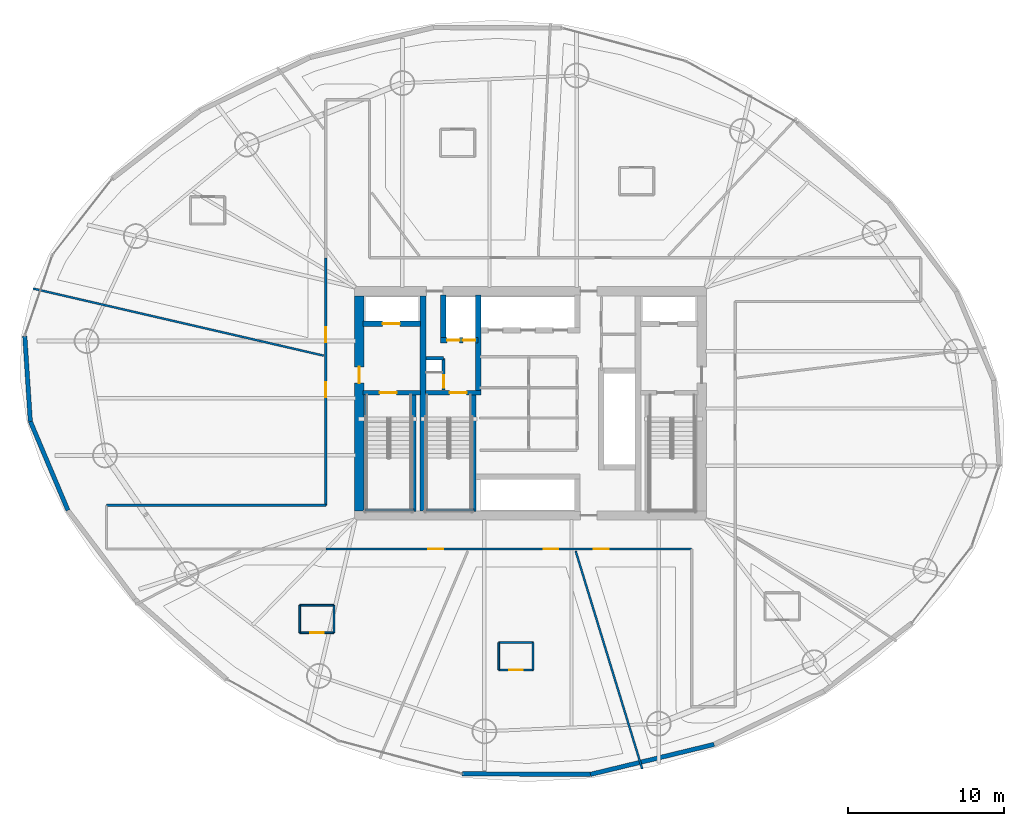
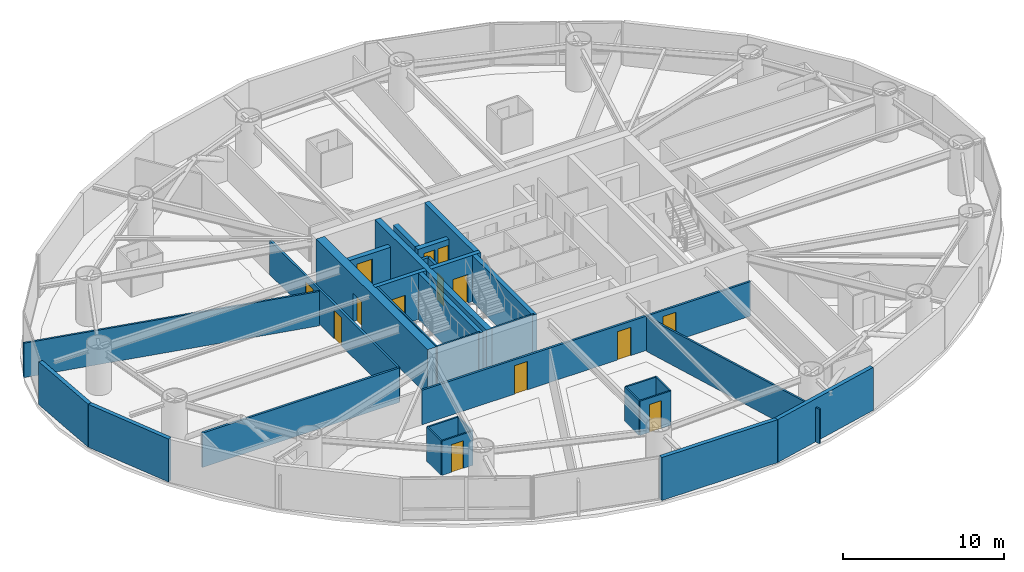
# One storey, part 16 of 23: 32 walls, 14 doors, 14 openings.
"""IFC4 building model written with IfcOpenShell, lengths in metres."""

from ifc_helpers import new_model, si_unit, direction, frame, frame_2d, origin, place, context, subcontext, project, spatial, rectangle, extrude, material, layer, layer_set, type_object, element, fill, save


model = new_model("IFC4")

# Units and contexts
model_context = context("Model", 3, precision=1e-05, world=origin(), true_north=direction((0.0, 1.0)))
body_context = subcontext(model_context, "Body", "Model", "MODEL_VIEW")
ifc_project = project(units=[si_unit("LENGTHUNIT", "METRE"), si_unit("AREAUNIT", "SQUARE_METRE"), si_unit("VOLUMEUNIT", "CUBIC_METRE"), si_unit("PLANEANGLEUNIT", "RADIAN"), si_unit("MASSUNIT", "GRAM", prefix="KILO")], contexts=[model_context])

# Site, building, storey
site_placement = place(None, origin())
site = spatial("IfcSite", under=ifc_project, at=site_placement, CompositionType="ELEMENT")
building_placement = place(site_placement, origin())
building = spatial("IfcBuilding", under=site, at=building_placement, Name="Bramvorn Convention Spire", CompositionType="ELEMENT")
storey_placement = place(building_placement, frame((0.0, 0.0, 65.89990234375)))
storey = spatial("IfcBuildingStorey", under=building, at=storey_placement, Name="L14", CompositionType="ELEMENT", Elevation=65.89990234375)

# Wall, opening, door
ifc_material_1 = material(Name="Concrete C60/70", Category="concrete")
ifc_layer_1 = layer(ifc_material_1, 0.60009765625)
ifc_layer_set_1 = layer_set([ifc_layer_1], Name="Concrete C60/70 - WL-CORE-600")
wall_type_1 = type_object("IfcWallType", Name="WL-CORE-600", PredefinedType="SHEAR", material=ifc_layer_set_1)
wall_1_placement = place(storey_placement, frame((27.0, 19.10009765625, 0.0), z_axis=(0.0, 0.0, 1.0), x_axis=(0.0, 1.0, 0.0)))
wall_1 = element("IfcWall", 1, at=wall_1_placement, inside=storey, type_object=wall_type_1, Name="L14 West RC core shear wall", PredefinedType="SHEAR", context=body_context, shape_type="SweptSolid", body=[
    extrude(rectangle(XDim=13.7998046875, YDim=0.60009765625, at=frame_2d((6.89990234375, 0.0))), origin(), (0.0, 0.0, 1.0), 3.5),
])
opening_1_placement = place(wall_1_placement, frame((8.199951171875, 0.0, 0.0)))
opening_1 = element("IfcOpeningElement", 2, at=opening_1_placement, cuts=wall_1, Name="Opening DL-105", PredefinedType="OPENING", context=body_context, shape_type="SweptSolid", body=[
    extrude(rectangle(XDim=1.050048828125, YDim=2.14990234375, at=frame_2d((0.52490234375, 1.074951171875))), frame((0.0, 0.31005859375, 0.0), z_axis=(0.0, -1.0, 0.0), x_axis=(1.0, 0.0, 0.0)), (0.0, 0.0, 1.0), 0.6201171875),
])
ifc_material_2 = material(Name="Smoke-Sealed Fire Lobby Timber-Core Door", Category="wood")
door_type_1 = type_object("IfcDoorType", Name="DR-LOBBY-1050", OperationType="NOTDEFINED", PredefinedType="DOOR", material=ifc_material_2)
door_1_placement = place(opening_1_placement, origin())
door_1 = element("IfcDoor", 3, at=door_1_placement, inside=storey, type_object=door_type_1, Name="L14 West Firefighting Lobby corridor door", OperationType="SINGLE_SWING_RIGHT", OverallHeight=2.14990234375, OverallWidth=1.050048828125, PredefinedType="DOOR", context=body_context, shape_type="SweptSolid", body=[
    extrude(rectangle(XDim=1.050048828125, YDim=2.14990234375, at=frame_2d((0.52490234375, 1.074951171875))), frame((0.0, 0.02490234375, 0.0), z_axis=(0.0, -1.0, 0.0), x_axis=(1.0, 0.0, 0.0)), (0.0, 0.0, 1.0), 0.050048828125),
])
fill(opening_1, door_1)

ifc_material_3 = material(Name="Concrete C50/60", Category="concrete")
ifc_layer_2 = layer(ifc_material_3, 0.35009765625)
ifc_layer_set_2 = layer_set([ifc_layer_2], Name="Concrete C50/60 - WL-CORE-INT-350")
wall_type_2 = type_object("IfcWallType", Name="WL-CORE-INT-350", PredefinedType="SHEAR", material=ifc_layer_set_2)
wall_2_placement = place(storey_placement, frame((27.25, 31.1201171875, 0.0), z_axis=(0.0, 0.0, 1.0), x_axis=(1.0, 0.0, 0.0)))
wall_2 = element("IfcWall", 4, at=wall_2_placement, inside=storey, type_object=wall_type_2, Name="L14 FE1 shaft front wall", PredefinedType="SHEAR", context=body_context, shape_type="SweptSolid", body=[
    extrude(rectangle(XDim=3.669921875, YDim=0.35009765625, at=frame_2d((1.8349609375, 0.0))), origin(), (0.0, 0.0, 1.0), 2.60009765625),
])
opening_2_placement = place(wall_2_placement, frame((1.25, 0.0, 0.0)))
opening_2 = element("IfcOpeningElement", 5, at=opening_2_placement, cuts=wall_2, Name="Opening LD-110", PredefinedType="OPENING", context=body_context, shape_type="SweptSolid", body=[
    extrude(rectangle(XDim=1.10009765625, YDim=2.14990234375, at=frame_2d((0.550048828125, 1.074951171875))), frame((0.0, 0.18505859375, 0.0), z_axis=(0.0, -1.0, 0.0), x_axis=(1.0, 0.0, 0.0)), (0.0, 0.0, 1.0), 0.3701171875),
])
ifc_material_4 = material(Name="Firefighting & Service Lift Sliding Landing Door", Category="steel")
door_type_2 = type_object("IfcDoorType", Name="DR-LIFT-LD-1100", OperationType="NOTDEFINED", PredefinedType="DOOR", material=ifc_material_4)
door_2_placement = place(opening_2_placement, origin())
door_2 = element("IfcDoor", 6, at=door_2_placement, inside=storey, type_object=door_type_2, Name="L14 Lift FE1 Sliding Landing Door", OperationType="SLIDING_TO_LEFT", OverallHeight=2.14990234375, OverallWidth=1.10009765625, PredefinedType="DOOR", context=body_context, shape_type="SweptSolid", body=[
    extrude(rectangle(XDim=1.10009765625, YDim=2.14990234375, at=frame_2d((0.550048828125, 1.074951171875))), frame((0.0, 0.02490234375, 0.0), z_axis=(0.0, -1.0, 0.0), x_axis=(1.0, 0.0, 0.0)), (0.0, 0.0, 1.0), 0.050048828125),
])
fill(opening_2, door_2)

# Wall
wall_3_placement = place(storey_placement, frame((34.639892578125, 26.68994140625, 0.0), z_axis=(0.0, 0.0, 1.0), x_axis=(0.0, 1.0, 0.0)))
element("IfcWall", 7, at=wall_3_placement, inside=storey, type_object=wall_type_2, Name="L14 SV east core shaft wall", PredefinedType="SHEAR", context=body_context, shape_type="SweptSolid", body=[
    extrude(rectangle(XDim=6.260009765625, YDim=0.35009765625, at=frame_2d((3.1298828125, 0.0))), origin(), (0.0, 0.0, 1.0), 3.5),
])

# Wall, openings, doors
wall_4_placement = place(storey_placement, frame((32.22998046875, 30.050048828125, 0.0), z_axis=(0.0, 0.0, 1.0), x_axis=(1.0, 0.0, 0.0)))
wall_4 = element("IfcWall", 8, at=wall_4_placement, inside=storey, type_object=wall_type_2, Name="L14 SV1/SV2 shaft front wall", PredefinedType="SHEAR", context=body_context, shape_type="SweptSolid", body=[
    extrude(rectangle(XDim=2.409912109375, YDim=0.35009765625, at=frame_2d((1.205078125, 0.0))), origin(), (0.0, 0.0, 1.0), 2.60009765625),
])
opening_3_placement = place(wall_4_placement, frame((0.419921875, 0.0, 0.0)))
opening_3 = element("IfcOpeningElement", 9, at=opening_3_placement, cuts=wall_4, Name="Opening LD-080", PredefinedType="OPENING", context=body_context, shape_type="SweptSolid", body=[
    extrude(rectangle(XDim=0.800048828125, YDim=2.14990234375, at=frame_2d((0.39990234375, 1.074951171875))), frame((0.0, 0.18505859375, 0.0), z_axis=(0.0, -1.0, 0.0), x_axis=(1.0, 0.0, 0.0)), (0.0, 0.0, 1.0), 0.3701171875),
])
opening_4_placement = place(wall_4_placement, frame((1.419921875, 0.0, 0.0)))
opening_4 = element("IfcOpeningElement", 10, at=opening_4_placement, cuts=wall_4, Name="Opening LD-080", PredefinedType="OPENING", context=body_context, shape_type="SweptSolid", body=[
    extrude(rectangle(XDim=0.800048828125, YDim=2.14990234375, at=frame_2d((0.39990234375, 1.074951171875))), frame((0.0, 0.18505859375, 0.0), z_axis=(0.0, -1.0, 0.0), x_axis=(1.0, 0.0, 0.0)), (0.0, 0.0, 1.0), 0.3701171875),
])
ifc_material_5 = material(Name="Service Lift Bi-Parting Landing Door", Category="steel")
door_type_3 = type_object("IfcDoorType", Name="DR-LIFT-LD-800", OperationType="NOTDEFINED", PredefinedType="DOOR", material=ifc_material_5)
door_3_placement = place(opening_3_placement, origin())
door_3 = element("IfcDoor", 11, at=door_3_placement, inside=storey, type_object=door_type_3, Name="L14 Lift SV1 Sliding Landing Door", OperationType="SLIDING_TO_LEFT", OverallHeight=2.14990234375, OverallWidth=0.800048828125, PredefinedType="DOOR", context=body_context, shape_type="SweptSolid", body=[
    extrude(rectangle(XDim=0.800048828125, YDim=2.14990234375, at=frame_2d((0.39990234375, 1.074951171875))), frame((0.0, 0.02490234375, 0.0), z_axis=(0.0, -1.0, 0.0), x_axis=(1.0, 0.0, 0.0)), (0.0, 0.0, 1.0), 0.050048828125),
])
fill(opening_3, door_3)
door_4_placement = place(opening_4_placement, origin())
door_4 = element("IfcDoor", 12, at=door_4_placement, inside=storey, type_object=door_type_3, Name="L14 Lift SV2 Sliding Landing Door", OperationType="SLIDING_TO_LEFT", OverallHeight=2.14990234375, OverallWidth=0.800048828125, PredefinedType="DOOR", context=body_context, shape_type="SweptSolid", body=[
    extrude(rectangle(XDim=0.800048828125, YDim=2.14990234375, at=frame_2d((0.39990234375, 1.074951171875))), frame((0.0, 0.02490234375, 0.0), z_axis=(0.0, -1.0, 0.0), x_axis=(1.0, 0.0, 0.0)), (0.0, 0.0, 1.0), 0.050048828125),
])
fill(opening_4, door_4)

# Walls
wall_5_placement = place(storey_placement, frame((32.39990234375, 30.219970703125, 0.0), z_axis=(0.0, 0.0, 1.0), x_axis=(0.0, 1.0, 0.0)))
element("IfcWall", 13, at=wall_5_placement, inside=storey, type_object=wall_type_2, Name="L14 SV1 west hoistway wall", PredefinedType="SHEAR", context=body_context, shape_type="SweptSolid", body=[
    extrude(rectangle(XDim=2.72998046875, YDim=0.35009765625, at=frame_2d((1.364990234375, 0.0))), origin(), (0.0, 0.0, 1.0), 2.60009765625),
])
ifc_layer_3 = layer(ifc_material_1, 0.39990234375)
ifc_layer_set_3 = layer_set([ifc_layer_3], Name="Concrete C60/70 - WL-CORE-INT-400")
wall_type_3 = type_object("IfcWallType", Name="WL-CORE-INT-400", PredefinedType="SHEAR", material=ifc_layer_set_3)
wall_6_placement = place(storey_placement, frame((31.10009765625, 19.10009765625, 0.0), z_axis=(0.0, 0.0, 1.0), x_axis=(0.0, 1.0, 0.0)))
element("IfcWall", 14, at=wall_6_placement, inside=storey, type_object=wall_type_3, Name="L14 West internal core shear web", PredefinedType="SHEAR", context=body_context, shape_type="SweptSolid", body=[
    extrude(rectangle(XDim=13.7998046875, YDim=0.39990234375, at=frame_2d((6.89990234375, 0.0))), origin(), (0.0, 0.0, 1.0), 3.5),
])
ifc_material_6 = material(Name="Precast Concrete C40/50 with Bronze Terracotta Rainscreen", Category="masonry")
ifc_layer_4 = layer(ifc_material_6, 0.300048828125)
ifc_layer_set_4 = layer_set([ifc_layer_4], Name="Precast Concrete C40/50 with Bronze Terracotta Rainscreen - WL-EXT-BRONZE-300")
wall_type_4 = type_object("IfcWallType", Name="WL-EXT-BRONZE-300", PredefinedType="SOLIDWALL", material=ifc_layer_set_4)
wall_7_placement = place(storey_placement, frame((5.861572265625, 24.849365234375, 0.0), z_axis=(0.0, 0.0, 1.0), x_axis=(-0.064305239639, 0.997930276199, 0.0)))
element("IfcWall", 15, at=wall_7_placement, inside=storey, type_object=wall_type_4, Name="L14 expressed bronze Gothic lancet pier wall 13", PredefinedType="SOLIDWALL", context=body_context, shape_type="SweptSolid", body=[
    extrude(rectangle(XDim=5.49755859375, YDim=0.280029296875, at=frame_2d((2.748779296875, 0.0))), origin(), (0.0, 0.0, 1.0), 3.25),
])
wall_8_placement = place(storey_placement, frame((8.281005859375, 19.127685546875, 0.0), z_axis=(0.0, 0.0, 1.0), x_axis=(-0.38946562283, 0.921041002689, 0.0)))
element("IfcWall", 16, at=wall_8_placement, inside=storey, type_object=wall_type_4, Name="L14 expressed bronze Gothic lancet pier wall 14", PredefinedType="SOLIDWALL", context=body_context, shape_type="SweptSolid", body=[
    extrude(rectangle(XDim=6.212158203125, YDim=0.280029296875, at=frame_2d((3.10595703125, 0.0))), origin(), (0.0, 0.0, 1.0), 3.25),
])
wall_9_placement = place(storey_placement, frame((41.85498046875, 2.16552734375, 0.0), z_axis=(0.0, 0.0, 1.0), x_axis=(-0.999990900598, 0.004265995843, 0.0)))
element("IfcWall", 17, at=wall_9_placement, inside=storey, type_object=wall_type_4, Name="L14 expressed bronze Gothic lancet pier wall 19", PredefinedType="SOLIDWALL", context=body_context, shape_type="SweptSolid", body=[
    extrude(rectangle(XDim=8.240966796875, YDim=0.280029296875, at=frame_2d((4.12060546875, 0.0))), origin(), (0.0, 0.0, 1.0), 3.25),
])
wall_10_placement = place(storey_placement, frame((49.7958984375, 4.090576171875, 0.0), z_axis=(0.0, 0.0, 1.0), x_axis=(-0.971850727629, -0.235597460104, 0.0)))
element("IfcWall", 18, at=wall_10_placement, inside=storey, type_object=wall_type_4, Name="L14 expressed bronze Gothic lancet pier wall 20", PredefinedType="SOLIDWALL", context=body_context, shape_type="SweptSolid", body=[
    extrude(rectangle(XDim=8.1708984375, YDim=0.280029296875, at=frame_2d((4.08544921875, 0.0))), origin(), (0.0, 0.0, 1.0), 3.25),
])

# Wall, opening, door
ifc_material_7 = material(Name="Lightweight En-Suite & Wet-Wall Partition", Category="gypsum")
ifc_layer_5 = layer(ifc_material_7, 0.110107421875)
ifc_layer_set_5 = layer_set([ifc_layer_5], Name="Lightweight En-Suite & Wet-Wall Partition - WL-PART-110")
wall_type_5 = type_object("IfcWallType", Name="WL-PART-110", PredefinedType="PARTITIONING", material=ifc_layer_set_5)
wall_11_placement = place(storey_placement, frame((23.173583984375, 11.265380859375, 0.0), z_axis=(0.0, 0.0, 1.0), x_axis=(1.0, 0.0, 0.0)))
wall_11 = element("IfcWall", 19, at=wall_11_placement, inside=storey, type_object=wall_type_5, Name="Hotel Suite 1406 en-suite south wall", PredefinedType="PARTITIONING", context=body_context, shape_type="SweptSolid", body=[
    extrude(rectangle(XDim=2.199951171875, YDim=0.110107421875, at=frame_2d((1.10009765625, 0.0))), origin(), (0.0, 0.0, 1.0), 2.60009765625),
])
opening_5_placement = place(wall_11_placement, frame((0.679931640625, 0.0, 0.0)))
opening_5 = element("IfcOpeningElement", 20, at=opening_5_placement, cuts=wall_11, Name="Opening DI-085", PredefinedType="OPENING", context=body_context, shape_type="SweptSolid", body=[
    extrude(rectangle(XDim=0.85009765625, YDim=2.10009765625, at=frame_2d((0.425048828125, 1.050048828125))), frame((0.0, 0.06494140625, 0.0), z_axis=(0.0, -1.0, 0.0), x_axis=(1.0, 0.0, 0.0)), (0.0, 0.0, 1.0), 0.130126953125),
])
ifc_material_8 = material(Name="En-Suite & Restroom Privacy Door", Category="wood")
door_type_4 = type_object("IfcDoorType", Name="DR-INT-850", OperationType="NOTDEFINED", PredefinedType="DOOR", material=ifc_material_8)
door_5_placement = place(opening_5_placement, origin())
door_5 = element("IfcDoor", 21, at=door_5_placement, inside=storey, type_object=door_type_4, Name="Hotel Suite 1406 En-Suite Bathroom door", OperationType="SINGLE_SWING_LEFT", OverallHeight=2.10009765625, OverallWidth=0.85009765625, PredefinedType="DOOR", context=body_context, shape_type="SweptSolid", body=[
    extrude(rectangle(XDim=0.85009765625, YDim=2.10009765625, at=frame_2d((0.425048828125, 1.050048828125))), frame((0.0, 0.02490234375, 0.0), z_axis=(0.0, -1.0, 0.0), x_axis=(1.0, 0.0, 0.0)), (0.0, 0.0, 1.0), 0.050048828125),
])
fill(opening_5, door_5)

# Walls
wall_12_placement = place(storey_placement, frame((23.173583984375, 13.025390625, 0.0), z_axis=(0.0, 0.0, 1.0), x_axis=(1.0, 0.0, 0.0)))
element("IfcWall", 22, at=wall_12_placement, inside=storey, type_object=wall_type_5, Name="Hotel Suite 1406 en-suite north wall", PredefinedType="PARTITIONING", context=body_context, shape_type="SweptSolid", body=[
    extrude(rectangle(XDim=2.199951171875, YDim=0.110107421875, at=frame_2d((1.10009765625, 0.0))), origin(), (0.0, 0.0, 1.0), 2.60009765625),
])
for number, where, z_axis, x_axis, name in (
    (23, (23.173583984375, 11.265380859375, 0.0), (0.0, 0.0, 1.0), (0.0, 1.0, 0.0), "Hotel Suite 1406 en-suite west wall"),
    (24, (25.37353515625, 11.265380859375, 0.0), (0.0, 0.0, 1.0), (0.0, 1.0, 0.0), "Hotel Suite 1406 en-suite east wall"),
):
    element("IfcWall", number, at=place(storey_placement, frame(where, z_axis=z_axis, x_axis=x_axis)), inside=storey, type_object=wall_type_5, Name=name, PredefinedType="PARTITIONING", context=body_context, shape_type="SweptSolid", body=[
        extrude(rectangle(XDim=1.760009765625, YDim=0.110107421875, at=frame_2d((0.8798828125, 0.0))), origin(), (0.0, 0.0, 1.0), 2.60009765625),
    ])

# Wall, opening, door
wall_13_placement = place(storey_placement, frame((35.9599609375, 8.876220703125, 0.0), z_axis=(0.0, 0.0, 1.0), x_axis=(1.0, 0.0, 0.0)))
wall_13 = element("IfcWall", 25, at=wall_13_placement, inside=storey, type_object=wall_type_5, Name="Hotel Suite 1407 en-suite south wall", PredefinedType="PARTITIONING", context=body_context, shape_type="SweptSolid", body=[
    extrude(rectangle(XDim=2.199951171875, YDim=0.110107421875, at=frame_2d((1.10009765625, 0.0))), origin(), (0.0, 0.0, 1.0), 2.60009765625),
])
opening_6_placement = place(wall_13_placement, frame((0.679931640625, 0.0, 0.0)))
opening_6 = element("IfcOpeningElement", 26, at=opening_6_placement, cuts=wall_13, Name="Opening DI-085", PredefinedType="OPENING", context=body_context, shape_type="SweptSolid", body=[
    extrude(rectangle(XDim=0.85009765625, YDim=2.10009765625, at=frame_2d((0.425048828125, 1.050048828125))), frame((0.0, 0.06494140625, 0.0), z_axis=(0.0, -1.0, 0.0), x_axis=(1.0, 0.0, 0.0)), (0.0, 0.0, 1.0), 0.130126953125),
])
door_6_placement = place(opening_6_placement, origin())
door_6 = element("IfcDoor", 27, at=door_6_placement, inside=storey, type_object=door_type_4, Name="Hotel Suite 1407 En-Suite Bathroom door", OperationType="SINGLE_SWING_LEFT", OverallHeight=2.10009765625, OverallWidth=0.85009765625, PredefinedType="DOOR", context=body_context, shape_type="SweptSolid", body=[
    extrude(rectangle(XDim=0.85009765625, YDim=2.10009765625, at=frame_2d((0.425048828125, 1.050048828125))), frame((0.0, 0.02490234375, 0.0), z_axis=(0.0, -1.0, 0.0), x_axis=(1.0, 0.0, 0.0)), (0.0, 0.0, 1.0), 0.050048828125),
])
fill(opening_6, door_6)

# Walls
wall_14_placement = place(storey_placement, frame((35.9599609375, 10.63623046875, 0.0), z_axis=(0.0, 0.0, 1.0), x_axis=(1.0, 0.0, 0.0)))
element("IfcWall", 28, at=wall_14_placement, inside=storey, type_object=wall_type_5, Name="Hotel Suite 1407 en-suite north wall", PredefinedType="PARTITIONING", context=body_context, shape_type="SweptSolid", body=[
    extrude(rectangle(XDim=2.199951171875, YDim=0.110107421875, at=frame_2d((1.10009765625, 0.0))), origin(), (0.0, 0.0, 1.0), 2.60009765625),
])
for number, where, z_axis, x_axis, name in (
    (29, (35.9599609375, 8.876220703125, 0.0), (0.0, 0.0, 1.0), (0.0, 1.0, 0.0), "Hotel Suite 1407 en-suite west wall"),
    (30, (38.159912109375, 8.876220703125, 0.0), (0.0, 0.0, 1.0), (0.0, 1.0, 0.0), "Hotel Suite 1407 en-suite east wall"),
):
    element("IfcWall", number, at=place(storey_placement, frame(where, z_axis=z_axis, x_axis=x_axis)), inside=storey, type_object=wall_type_5, Name=name, PredefinedType="PARTITIONING", context=body_context, shape_type="SweptSolid", body=[
        extrude(rectangle(XDim=1.760009765625, YDim=0.110107421875, at=frame_2d((0.8798828125, 0.0))), origin(), (0.0, 0.0, 1.0), 2.60009765625),
    ])
ifc_material_9 = material(Name="Metal-Stud Demountable Office Partition", Category="gypsum")
ifc_layer_6 = layer(ifc_material_9, 0.1298828125)
ifc_layer_set_6 = layer_set([ifc_layer_6], Name="Metal-Stud Demountable Office Partition - WL-PART-130")
wall_type_6 = type_object("IfcWallType", Name="WL-PART-130", PredefinedType="PARTITIONING", material=ifc_layer_set_6)
wall_15_placement = place(storey_placement, frame((24.7099609375, 29.068115234375, 0.0), z_axis=(0.0, 0.0, 1.0), x_axis=(-0.97436820694, 0.224959101406, 0.0)))
element("IfcWall", 31, at=wall_15_placement, inside=storey, type_object=wall_type_6, Name="L14 Guestroom demising wall 5", PredefinedType="PARTITIONING", context=body_context, shape_type="SweptSolid", body=[
    extrude(rectangle(XDim=19.156005859375, YDim=0.1298828125, at=frame_2d((9.578125, 0.0))), origin(), (0.0, 0.0, 1.0), 2.60009765625),
])
wall_16_placement = place(storey_placement, frame((40.9013671875, 16.510009765625, 0.0), z_axis=(0.0, 0.0, 1.0), x_axis=(0.292367647834, -0.956305996269, 0.0)))
element("IfcWall", 32, at=wall_16_placement, inside=storey, type_object=wall_type_6, Name="L14 Guestroom demising wall 8", PredefinedType="PARTITIONING", context=body_context, shape_type="SweptSolid", body=[
    extrude(rectangle(XDim=14.6416015625, YDim=0.1298828125, at=frame_2d((7.32080078125, 0.0))), origin(), (0.0, 0.0, 1.0), 2.60009765625),
])

# Wall, openings, doors
ifc_material_10 = material(Name="Acoustic Metal-Stud Tenant/Corridor Partition", Category="gypsum")
ifc_layer_7 = layer(ifc_material_10, 0.14990234375)
ifc_layer_set_7 = layer_set([ifc_layer_7], Name="Acoustic Metal-Stud Tenant/Corridor Partition - WL-PART-150")
wall_type_7 = type_object("IfcWallType", Name="WL-PART-150", PredefinedType="PARTITIONING", material=ifc_layer_set_7)
wall_17_placement = place(storey_placement, frame((24.85009765625, 16.64990234375, 0.0), z_axis=(0.0, 0.0, 1.0), x_axis=(1.0, 0.0, 0.0)))
wall_17 = element("IfcWall", 33, at=wall_17_placement, inside=storey, type_object=wall_type_7, Name="L14 South ring corridor wall", PredefinedType="PARTITIONING", context=body_context, shape_type="SweptSolid", body=[
    extrude(rectangle(XDim=23.5, YDim=0.14990234375, at=frame_2d((11.75, 0.0))), origin(), (0.0, 0.0, 1.0), 2.60009765625),
])
opening_7_placement = place(wall_17_placement, frame((6.59521484375, 0.0, 0.0)))
opening_7 = element("IfcOpeningElement", 34, at=opening_7_placement, cuts=wall_17, Name="Opening DH-095", PredefinedType="OPENING", context=body_context, shape_type="SweptSolid", body=[
    extrude(rectangle(XDim=0.949951171875, YDim=2.14990234375, at=frame_2d((0.47509765625, 1.074951171875))), frame((0.0, 0.0849609375, 0.0), z_axis=(0.0, -1.0, 0.0), x_axis=(1.0, 0.0, 0.0)), (0.0, 0.0, 1.0), 0.169921875),
])
opening_8_placement = place(wall_17_placement, frame((13.98974609375, 0.0, 0.0)))
opening_8 = element("IfcOpeningElement", 35, at=opening_8_placement, cuts=wall_17, Name="Opening DH-095", PredefinedType="OPENING", context=body_context, shape_type="SweptSolid", body=[
    extrude(rectangle(XDim=0.949951171875, YDim=2.14990234375, at=frame_2d((0.47509765625, 1.074951171875))), frame((0.0, 0.0849609375, 0.0), z_axis=(0.0, -1.0, 0.0), x_axis=(1.0, 0.0, 0.0)), (0.0, 0.0, 1.0), 0.169921875),
])
opening_9_placement = place(wall_17_placement, frame((17.21142578125, 0.0, 0.0)))
opening_9 = element("IfcOpeningElement", 36, at=opening_9_placement, cuts=wall_17, Name="Opening DH-095", PredefinedType="OPENING", context=body_context, shape_type="SweptSolid", body=[
    extrude(rectangle(XDim=0.949951171875, YDim=2.14990234375, at=frame_2d((0.47509765625, 1.074951171875))), frame((0.0, 0.0849609375, 0.0), z_axis=(0.0, -1.0, 0.0), x_axis=(1.0, 0.0, 0.0)), (0.0, 0.0, 1.0), 0.169921875),
])
ifc_material_11 = material(Name="Solid-Core Acoustic Guestroom Entry Door", Category="wood")
door_type_5 = type_object("IfcDoorType", Name="DR-HOTEL-950", OperationType="NOTDEFINED", PredefinedType="DOOR", material=ifc_material_11)
door_7_placement = place(opening_7_placement, origin())
door_7 = element("IfcDoor", 37, at=door_7_placement, inside=storey, type_object=door_type_5, Name="Hotel Suite 1406 entry door", OperationType="SINGLE_SWING_RIGHT", OverallHeight=2.14990234375, OverallWidth=0.949951171875, PredefinedType="DOOR", context=body_context, shape_type="SweptSolid", body=[
    extrude(rectangle(XDim=0.949951171875, YDim=2.14990234375, at=frame_2d((0.47509765625, 1.074951171875))), frame((0.0, 0.02490234375, 0.0), z_axis=(0.0, -1.0, 0.0), x_axis=(1.0, 0.0, 0.0)), (0.0, 0.0, 1.0), 0.050048828125),
])
fill(opening_7, door_7)
door_8_placement = place(opening_8_placement, origin())
door_8 = element("IfcDoor", 38, at=door_8_placement, inside=storey, type_object=door_type_5, Name="Hotel Suite 1407 entry door", OperationType="SINGLE_SWING_LEFT", OverallHeight=2.14990234375, OverallWidth=0.949951171875, PredefinedType="DOOR", context=body_context, shape_type="SweptSolid", body=[
    extrude(rectangle(XDim=0.949951171875, YDim=2.14990234375, at=frame_2d((0.47509765625, 1.074951171875))), frame((0.0, 0.02490234375, 0.0), z_axis=(0.0, -1.0, 0.0), x_axis=(1.0, 0.0, 0.0)), (0.0, 0.0, 1.0), 0.050048828125),
])
fill(opening_8, door_8)
door_9_placement = place(opening_9_placement, origin())
door_9 = element("IfcDoor", 39, at=door_9_placement, inside=storey, type_object=door_type_5, Name="Hotel Suite 1408 entry door", OperationType="SINGLE_SWING_LEFT", OverallHeight=2.14990234375, OverallWidth=0.949951171875, PredefinedType="DOOR", context=body_context, shape_type="SweptSolid", body=[
    extrude(rectangle(XDim=0.949951171875, YDim=2.14990234375, at=frame_2d((0.47509765625, 1.074951171875))), frame((0.0, 0.02490234375, 0.0), z_axis=(0.0, -1.0, 0.0), x_axis=(1.0, 0.0, 0.0)), (0.0, 0.0, 1.0), 0.050048828125),
])
fill(opening_9, door_9)

wall_18_placement = place(storey_placement, frame((24.85009765625, 19.449951171875, 0.0), z_axis=(0.0, 0.0, 1.0), x_axis=(0.0, 1.0, 0.0)))
wall_18 = element("IfcWall", 40, at=wall_18_placement, inside=storey, type_object=wall_type_7, Name="L14 West ring corridor wall", PredefinedType="PARTITIONING", context=body_context, shape_type="SweptSolid", body=[
    extrude(rectangle(XDim=15.900146484375, YDim=0.14990234375, at=frame_2d((7.9501953125, 0.0))), origin(), (0.0, 0.0, 1.0), 2.60009765625),
])
opening_10_placement = place(wall_18_placement, frame((10.48779296875, 0.0, 0.0)))
opening_10 = element("IfcOpeningElement", 41, at=opening_10_placement, cuts=wall_18, Name="Opening DH-095", PredefinedType="OPENING", context=body_context, shape_type="SweptSolid", body=[
    extrude(rectangle(XDim=0.949951171875, YDim=2.14990234375, at=frame_2d((0.47509765625, 1.074951171875))), frame((0.0, 0.0849609375, 0.0), z_axis=(0.0, -1.0, 0.0), x_axis=(1.0, 0.0, 0.0)), (0.0, 0.0, 1.0), 0.169921875),
])
opening_11_placement = place(wall_18_placement, frame((6.95751953125, 0.0, 0.0)))
opening_11 = element("IfcOpeningElement", 42, at=opening_11_placement, cuts=wall_18, Name="Opening DH-095", PredefinedType="OPENING", context=body_context, shape_type="SweptSolid", body=[
    extrude(rectangle(XDim=0.949951171875, YDim=2.14990234375, at=frame_2d((0.47509765625, 1.074951171875))), frame((0.0, 0.0849609375, 0.0), z_axis=(0.0, -1.0, 0.0), x_axis=(1.0, 0.0, 0.0)), (0.0, 0.0, 1.0), 0.169921875),
])
door_10_placement = place(opening_10_placement, origin())
door_10 = element("IfcDoor", 43, at=door_10_placement, inside=storey, type_object=door_type_5, Name="Hotel Suite 1404 entry door", OperationType="SINGLE_SWING_RIGHT", OverallHeight=2.14990234375, OverallWidth=0.949951171875, PredefinedType="DOOR", context=body_context, shape_type="SweptSolid", body=[
    extrude(rectangle(XDim=0.949951171875, YDim=2.14990234375, at=frame_2d((0.47509765625, 1.074951171875))), frame((0.0, 0.02490234375, 0.0), z_axis=(0.0, -1.0, 0.0), x_axis=(1.0, 0.0, 0.0)), (0.0, 0.0, 1.0), 0.050048828125),
])
fill(opening_10, door_10)
door_11_placement = place(opening_11_placement, origin())
door_11 = element("IfcDoor", 44, at=door_11_placement, inside=storey, type_object=door_type_5, Name="L14 Hospitality Salon 5 door", OperationType="SINGLE_SWING_LEFT", OverallHeight=2.14990234375, OverallWidth=0.949951171875, PredefinedType="DOOR", context=body_context, shape_type="SweptSolid", body=[
    extrude(rectangle(XDim=0.949951171875, YDim=2.14990234375, at=frame_2d((0.47509765625, 1.074951171875))), frame((0.0, 0.02490234375, 0.0), z_axis=(0.0, -1.0, 0.0), x_axis=(1.0, 0.0, 0.0)), (0.0, 0.0, 1.0), 0.050048828125),
])
fill(opening_11, door_11)

# Wall
wall_19_placement = place(storey_placement, frame((10.760498046875, 19.449951171875, 0.0), z_axis=(0.0, 0.0, 1.0), x_axis=(1.0, 0.0, 0.0)))
element("IfcWall", 45, at=wall_19_placement, inside=storey, type_object=wall_type_7, Name="L14 SW pinwheel wing north wall", PredefinedType="PARTITIONING", context=body_context, shape_type="SweptSolid", body=[
    extrude(rectangle(XDim=14.089599609375, YDim=0.14990234375, at=frame_2d((7.044921875, 0.0))), origin(), (0.0, 0.0, 1.0), 2.60009765625),
])

# Wall, opening, door
ifc_material_12 = material(Name="Gypsum Shaftwall & Rockwool Core Partition", Category="gypsum")
ifc_layer_8 = layer(ifc_material_12, 0.199951171875)
ifc_layer_set_8 = layer_set([ifc_layer_8], Name="Gypsum Shaftwall & Rockwool Core Partition - WL-PART-200-FR")
wall_type_8 = type_object("IfcWallType", Name="WL-PART-200-FR", PredefinedType="PARTITIONING", material=ifc_layer_set_8)
wall_20_placement = place(storey_placement, frame((32.419921875, 26.860107421875, 0.0), z_axis=(0.0, 0.0, 1.0), x_axis=(0.0, 1.0, 0.0)))
wall_20 = element("IfcWall", 46, at=wall_20_placement, inside=storey, type_object=wall_type_8, Name="L14 Telecom riser east wall", PredefinedType="PARTITIONING", context=body_context, shape_type="SweptSolid", body=[
    extrude(rectangle(XDim=2.039794921875, YDim=0.199951171875, at=frame_2d((1.02001953125, 0.0))), origin(), (0.0, 0.0, 1.0), 2.60009765625),
])
opening_12_placement = place(wall_20_placement, frame((0.139892578125, 0.0, 0.0)))
opening_12 = element("IfcOpeningElement", 47, at=opening_12_placement, cuts=wall_20, Name="Opening DR-080", PredefinedType="OPENING", context=body_context, shape_type="SweptSolid", body=[
    extrude(rectangle(XDim=0.800048828125, YDim=2.050048828125, at=frame_2d((0.39990234375, 1.02490234375))), frame((0.0, 0.10986328125, 0.0), z_axis=(0.0, -1.0, 0.0), x_axis=(1.0, 0.0, 0.0)), (0.0, 0.0, 1.0), 0.219970703125),
])
ifc_material_13 = material(Name="Flush Steel Riser Access Door", Category="steel")
door_type_6 = type_object("IfcDoorType", Name="DR-RISER-800", OperationType="NOTDEFINED", PredefinedType="DOOR", material=ifc_material_13)
door_12_placement = place(opening_12_placement, origin())
door_12 = element("IfcDoor", 48, at=door_12_placement, inside=storey, type_object=door_type_6, Name="L14 Telecom riser access door", OperationType="SINGLE_SWING_RIGHT", OverallHeight=2.050048828125, OverallWidth=0.800048828125, PredefinedType="DOOR", context=body_context, shape_type="SweptSolid", body=[
    extrude(rectangle(XDim=0.800048828125, YDim=2.050048828125, at=frame_2d((0.39990234375, 1.02490234375))), frame((0.0, 0.02490234375, 0.0), z_axis=(0.0, -1.0, 0.0), x_axis=(1.0, 0.0, 0.0)), (0.0, 0.0, 1.0), 0.050048828125),
])
fill(opening_12, door_12)

# Wall
wall_21_placement = place(storey_placement, frame((31.300048828125, 28.89990234375, 0.0), z_axis=(0.0, 0.0, 1.0), x_axis=(1.0, 0.0, 0.0)))
element("IfcWall", 49, at=wall_21_placement, inside=storey, type_object=wall_type_8, Name="L14 Telecom riser north wall", PredefinedType="PARTITIONING", context=body_context, shape_type="SweptSolid", body=[
    extrude(rectangle(XDim=1.119873046875, YDim=0.199951171875, at=frame_2d((0.56005859375, 0.0))), origin(), (0.0, 0.0, 1.0), 2.60009765625),
])

# Wall, opening, door
ifc_layer_9 = layer(ifc_material_3, 0.300048828125)
ifc_layer_set_9 = layer_set([ifc_layer_9], Name="Concrete C50/60 - WL-POD-STAIR-300")
wall_type_9 = type_object("IfcWallType", Name="WL-POD-STAIR-300", PredefinedType="SHEAR", material=ifc_layer_set_9)
wall_22_placement = place(storey_placement, frame((27.25, 26.68994140625, 0.0), z_axis=(0.0, 0.0, 1.0), x_axis=(1.0, 0.0, 0.0)))
wall_22 = element("IfcWall", 50, at=wall_22_placement, inside=storey, type_object=wall_type_9, Name="L14 ST1 north fire wall", PredefinedType="SHEAR", context=body_context, shape_type="SweptSolid", body=[
    extrude(rectangle(XDim=3.669921875, YDim=0.300048828125, at=frame_2d((1.8349609375, 0.0))), origin(), (0.0, 0.0, 1.0), 3.5),
])
opening_13_placement = place(wall_22_placement, frame((1.050048828125, 0.0, 0.0)))
opening_13 = element("IfcOpeningElement", 51, at=opening_13_placement, cuts=wall_22, Name="Opening DS-110", PredefinedType="OPENING", context=body_context, shape_type="SweptSolid", body=[
    extrude(rectangle(XDim=1.10009765625, YDim=2.14990234375, at=frame_2d((0.550048828125, 1.074951171875))), frame((0.0, 0.159912109375, 0.0), z_axis=(0.0, -1.0, 0.0), x_axis=(1.0, 0.0, 0.0)), (0.0, 0.0, 1.0), 0.320068359375),
])
ifc_material_14 = material(Name="Fire-Rated Hollow Steel Stairwell Door", Category="steel")
door_type_7 = type_object("IfcDoorType", Name="DR-STAIR-1100", OperationType="NOTDEFINED", PredefinedType="DOOR", material=ifc_material_14)
door_13_placement = place(opening_13_placement, origin())
door_13 = element("IfcDoor", 52, at=door_13_placement, inside=storey, type_object=door_type_7, Name="L14 Stair ST1 fire door", OperationType="SINGLE_SWING_LEFT", OverallHeight=2.14990234375, OverallWidth=1.10009765625, PredefinedType="DOOR", context=body_context, shape_type="SweptSolid", body=[
    extrude(rectangle(XDim=1.10009765625, YDim=2.14990234375, at=frame_2d((0.550048828125, 1.074951171875))), frame((0.0, 0.02490234375, 0.0), z_axis=(0.0, -1.0, 0.0), x_axis=(1.0, 0.0, 0.0)), (0.0, 0.0, 1.0), 0.050048828125),
])
fill(opening_13, door_13)

# Walls
for number, where, z_axis, x_axis, name in (
    (53, (30.489990234375, 19.050048828125, 0.0), (0.0, 0.0, 1.0), (0.0, 1.0, 0.0), "L14 ST1 east bearing wall"),
    (54, (34.340087890625, 19.050048828125, 0.0), (0.0, 0.0, 1.0), (0.0, 1.0, 0.0), "L14 ST3 east bearing wall"),
):
    element("IfcWall", number, at=place(storey_placement, frame(where, z_axis=z_axis, x_axis=x_axis)), inside=storey, type_object=wall_type_9, Name=name, PredefinedType="SHEAR", context=body_context, shape_type="SweptSolid", body=[
        extrude(rectangle(XDim=7.5, YDim=0.300048828125, at=frame_2d((3.75, 0.0))), origin(), (0.0, 0.0, 1.0), 3.5),
    ])

# Wall, opening, door
wall_23_placement = place(storey_placement, frame((31.25, 26.68994140625, 0.0), z_axis=(0.0, 0.0, 1.0), x_axis=(1.0, 0.0, 0.0)))
wall_23 = element("IfcWall", 55, at=wall_23_placement, inside=storey, type_object=wall_type_9, Name="L14 ST3 north lobby wall", PredefinedType="SHEAR", context=body_context, shape_type="SweptSolid", body=[
    extrude(rectangle(XDim=3.56005859375, YDim=0.300048828125, at=frame_2d((1.780029296875, 0.0))), origin(), (0.0, 0.0, 1.0), 3.5),
])
opening_14_placement = place(wall_23_placement, frame((1.550048828125, 0.0, 0.0)))
opening_14 = element("IfcOpeningElement", 56, at=opening_14_placement, cuts=wall_23, Name="Opening DS-110", PredefinedType="OPENING", context=body_context, shape_type="SweptSolid", body=[
    extrude(rectangle(XDim=1.10009765625, YDim=2.14990234375, at=frame_2d((0.550048828125, 1.074951171875))), frame((0.0, 0.159912109375, 0.0), z_axis=(0.0, -1.0, 0.0), x_axis=(1.0, 0.0, 0.0)), (0.0, 0.0, 1.0), 0.320068359375),
])
door_14_placement = place(opening_14_placement, origin())
door_14 = element("IfcDoor", 57, at=door_14_placement, inside=storey, type_object=door_type_7, Name="L14 Stair ST3 fire door", OperationType="SINGLE_SWING_LEFT", OverallHeight=2.14990234375, OverallWidth=1.10009765625, PredefinedType="DOOR", context=body_context, shape_type="SweptSolid", body=[
    extrude(rectangle(XDim=1.10009765625, YDim=2.14990234375, at=frame_2d((0.550048828125, 1.074951171875))), frame((0.0, 0.02490234375, 0.0), z_axis=(0.0, -1.0, 0.0), x_axis=(1.0, 0.0, 0.0)), (0.0, 0.0, 1.0), 0.050048828125),
])
fill(opening_14, door_14)

# Walls
ifc_layer_10 = layer(ifc_material_3, 0.1201171875)
ifc_layer_set_10 = layer_set([ifc_layer_10], Name="Concrete C50/60 - WL-STAIR-RC-120")
wall_type_10 = type_object("IfcWallType", Name="WL-STAIR-RC-120", PredefinedType="SHEAR", material=ifc_layer_set_10)
wall_24_placement = place(storey_placement, frame((27.39501953125, 19.10009765625, 0.0), z_axis=(0.0, 0.0, 1.0), x_axis=(0.0, 1.0, 0.0)))
element("IfcWall", 58, at=wall_24_placement, inside=storey, type_object=wall_type_10, Name="L14 ST1 west bearing shear wall", PredefinedType="SHEAR", context=body_context, shape_type="SweptSolid", body=[
    extrude(rectangle(XDim=7.449951171875, YDim=0.1201171875, at=frame_2d((3.72509765625, 0.0))), origin(), (0.0, 0.0, 1.0), 3.5),
])
wall_25_placement = place(storey_placement, frame((27.39501953125, 19.159912109375, 0.0), z_axis=(0.0, 0.0, 1.0), x_axis=(1.0, 0.0, 0.0)))
element("IfcWall", 59, at=wall_25_placement, inside=storey, type_object=wall_type_10, Name="L14 ST1 south bearing shear wall", PredefinedType="SHEAR", context=body_context, shape_type="SweptSolid", body=[
    extrude(rectangle(XDim=3.094970703125, YDim=0.1201171875, at=frame_2d((1.54736328125, 0.0))), origin(), (0.0, 0.0, 1.0), 3.5),
])
wall_26_placement = place(storey_placement, frame((31.300048828125, 19.159912109375, 0.0), z_axis=(0.0, 0.0, 1.0), x_axis=(1.0, 0.0, 0.0)))
element("IfcWall", 60, at=wall_26_placement, inside=storey, type_object=wall_type_10, Name="L14 ST3 south bearing shear wall", PredefinedType="SHEAR", context=body_context, shape_type="SweptSolid", body=[
    extrude(rectangle(XDim=3.0400390625, YDim=0.1201171875, at=frame_2d((1.52001953125, 0.0))), origin(), (0.0, 0.0, 1.0), 3.5),
])

save(model, "model.ifc")
